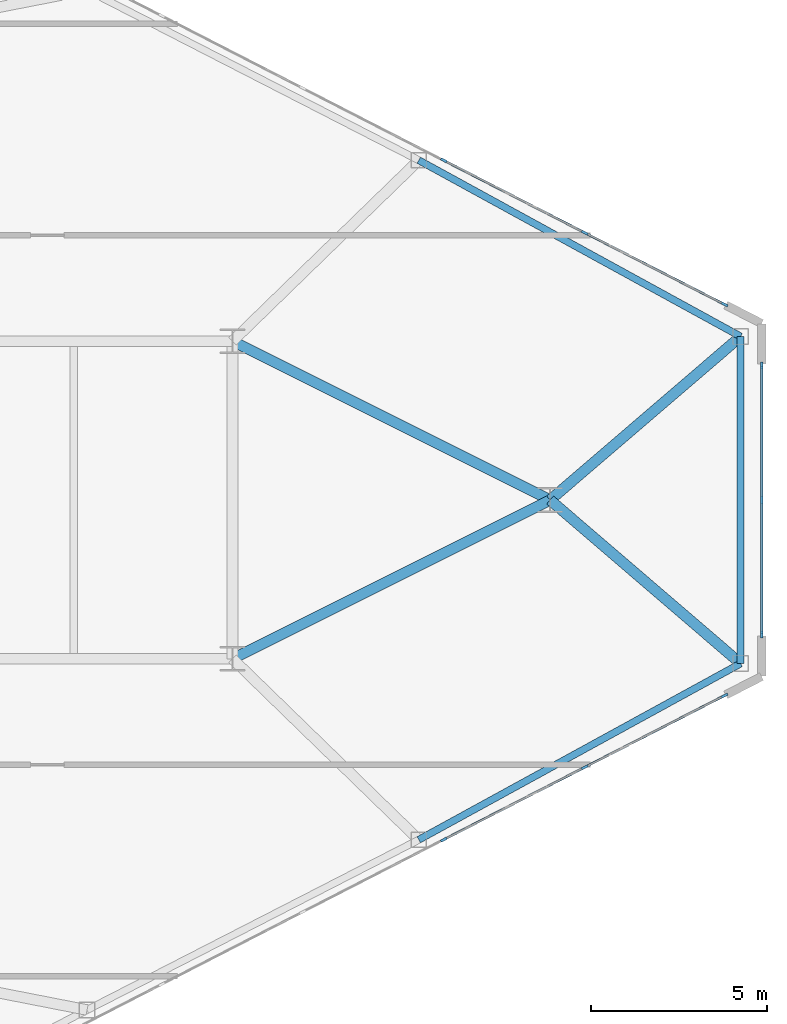
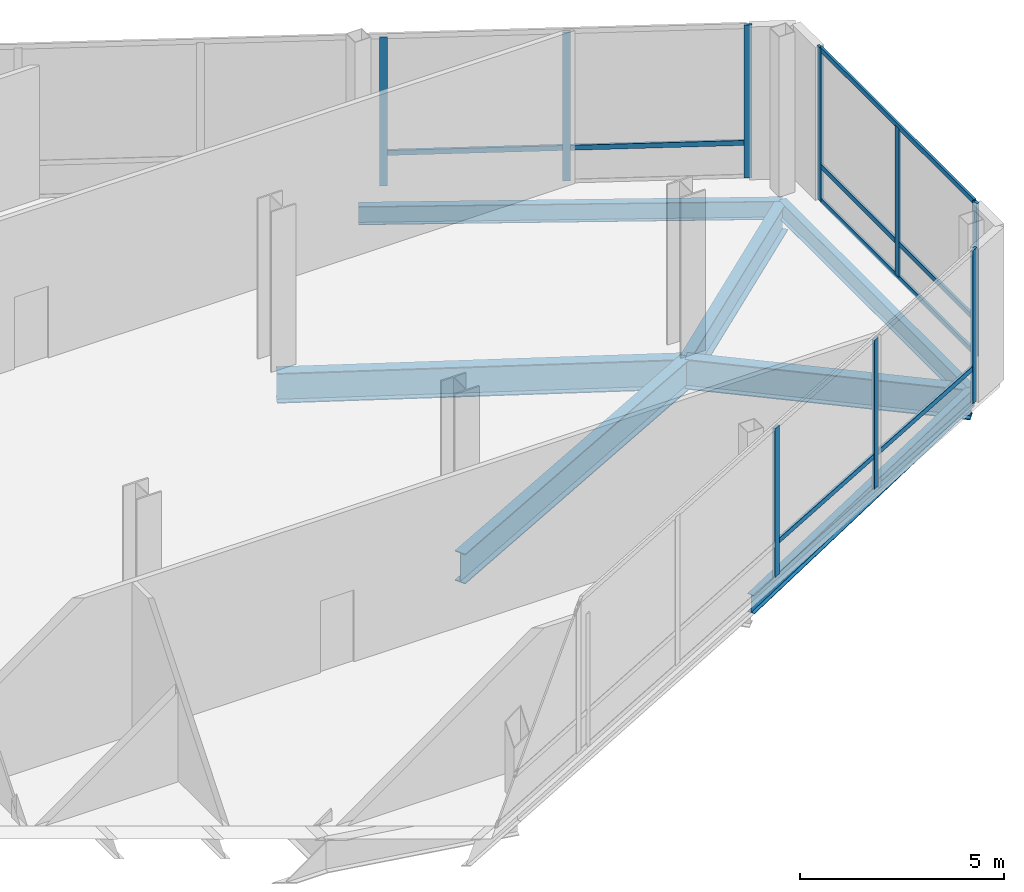
# One storey, part 13 of 22: 17 members, 7 beams, 3 elements without a shape of their own.
"""IFC4 building model written with IfcOpenShell, lengths in metres."""

from ifc_helpers import new_model, si_unit, direction, frame, origin, origin_2d, place, context, subcontext, project, spatial, rectangle, i_section, extrude, source, transform, mapped, material, layer, layer_set, material_profile, profile_set, type_object, type_shapes, element, aggregate, save


model = new_model("IFC4")

# Units and contexts
model_context = context("Model", 3, precision=1e-05, world=origin(), true_north=direction((0.0, 1.0)))
body_context = subcontext(model_context, "Body", "Model", "MODEL_VIEW")
ifc_project = project(units=[si_unit("LENGTHUNIT", "METRE"), si_unit("AREAUNIT", "SQUARE_METRE"), si_unit("VOLUMEUNIT", "CUBIC_METRE"), si_unit("PLANEANGLEUNIT", "RADIAN"), si_unit("MASSUNIT", "GRAM", prefix="KILO")], contexts=[model_context])

# Site, building, storey
site_placement = place(None, origin())
site = spatial("IfcSite", under=ifc_project, at=site_placement, CompositionType="ELEMENT")
building_placement = place(site_placement, origin())
building = spatial("IfcBuilding", under=site, at=building_placement, Name="Seokmaru Belvedere", CompositionType="ELEMENT")
storey_placement = place(building_placement, frame((0.0, 0.0, 135.60009765625)))
storey = spatial("IfcBuildingStorey", under=building, at=storey_placement, Name="L36", CompositionType="ELEMENT", Elevation=135.60009765625)

# Beams
ifc_material_1 = material(Name="Steel SM355 (355 MPa)", Category="steel")
ifc_material_profile_1 = material_profile(ifc_material_1, i_section(OverallWidth=0.300048828125, OverallDepth=0.89990234375, WebThickness=0.01611328125, FlangeThickness=0.028076171875, at=origin_2d()), Name="H-900x300x16x28")
ifc_profile_set_1 = profile_set([ifc_material_profile_1], Name="Steel SM355 (355 MPa)")
beam_type_1 = type_object("IfcBeamType", Name="Refuge Floor Girder H-900", PredefinedType="BEAM", material=ifc_profile_set_1)
shared_shape_1 = source(origin(), body_context, "Body", "SweptSolid", [
    extrude(i_section(OverallWidth=0.300048828125, OverallDepth=0.89990234375, WebThickness=0.01611328125, FlangeThickness=0.028076171875, at=origin_2d()), origin(), (0.0, 0.0, 1.0), 10.062255859375),
])
for number, where, z_axis, x_axis, name in (
    (1, (54.5, -4.5, -0.710205078125), (0.894427191, 0.4472135955, 0.0), (-0.4472135955, 0.894427191, 0.0), "L36 E Apex Converging Girder 1"),
    (2, (54.5, 4.5, -0.710205078125), (0.894427191, -0.4472135955, 0.0), (0.4472135955, 0.894427191, 0.0), "L36 E Apex Converging Girder 2"),
):
    element("IfcBeam", number, at=place(storey_placement, frame(where, z_axis=z_axis, x_axis=x_axis)), inside=storey, type_object=beam_type_1, Name=name, PredefinedType="BEAM", context=body_context, shape_type="MappedRepresentation", body=[
        mapped(shared_shape_1, transform((0.0, 0.0, 0.0), scale=1.0)),
    ])
ifc_material_profile_2 = material_profile(ifc_material_1, i_section(OverallWidth=0.199951171875, OverallDepth=0.550048828125, WebThickness=0.010009765625, FlangeThickness=0.01611328125, at=origin_2d()), Name="H-550x200x10x16")
ifc_profile_set_2 = profile_set([ifc_material_profile_2], Name="Steel SM355 (355 MPa)")
beam_type_2 = type_object("IfcBeamType", Name="Sky-Lobby Spandrel Beam H-550", PredefinedType="SPANDREL", material=ifc_profile_set_2)
shared_shape_2 = source(origin(), body_context, "Body", "SweptSolid", [
    extrude(i_section(OverallWidth=0.199951171875, OverallDepth=0.550048828125, WebThickness=0.010009765625, FlangeThickness=0.01611328125, at=origin_2d()), origin(), (0.0, 0.0, 1.0), 10.399658203125),
])
for number, where, z_axis, x_axis, name in (
    (3, (59.778564453125, -9.62890625, -0.53515625), (0.877082374422, 0.480339992587, 0.0), (-0.480339992587, 0.877082374422, 0.0), "L36 E Faceted Flank Spandrel S-4"),
    (4, (59.778564453125, 9.62890625, -0.53515625), (0.877082374422, -0.480339992587, 0.0), (0.480339992587, 0.877082374422, 0.0), "L36 E Faceted Flank Spandrel N-4"),
):
    element("IfcBeam", number, at=place(storey_placement, frame(where, z_axis=z_axis, x_axis=x_axis)), inside=storey, type_object=beam_type_2, Name=name, PredefinedType="SPANDREL", context=body_context, shape_type="MappedRepresentation", body=[
        mapped(shared_shape_2, transform((0.0, 0.0, 0.0), scale=1.0)),
    ])
shared_shape_3 = source(origin(), body_context, "Body", "SweptSolid", [
    extrude(i_section(OverallWidth=0.199951171875, OverallDepth=0.550048828125, WebThickness=0.010009765625, FlangeThickness=0.01611328125, at=origin_2d()), origin(), (0.0, 0.0, 1.0), 9.26708984375),
])
type_shapes(beam_type_2, [shared_shape_2, shared_shape_3])
beam_placement = place(storey_placement, frame((68.89990234375, -4.633544921875, -0.53515625), z_axis=(0.0, 1.0, 0.0), x_axis=(-1.0, 0.0, 0.0)))
element("IfcBeam", 5, at=beam_placement, inside=storey, type_object=beam_type_2, Name="L36 E Faceted Apex Spandrel", PredefinedType="SPANDREL", context=body_context, shape_type="MappedRepresentation", body=[
    mapped(shared_shape_3, transform((0.0, 0.0, 0.0), scale=1.0)),
])
shared_shape_4 = source(origin(), body_context, "Body", "SweptSolid", [
    extrude(i_section(OverallWidth=0.300048828125, OverallDepth=0.89990234375, WebThickness=0.01611328125, FlangeThickness=0.028076171875, at=origin_2d()), origin(), (0.0, 0.0, 1.0), 7.115478515625),
])
type_shapes(beam_type_1, [shared_shape_1, shared_shape_4])
for number, where, z_axis, x_axis, name in (
    (6, (68.89990234375, -4.633544921875, -0.710205078125), (-0.758905301881, 0.651201000289, 0.0), (-0.651201000289, -0.758905301881, 0.0), "L36 E Apex Radial Floor Girder 1"),
    (7, (68.89990234375, 4.633544921875, -0.710205078125), (-0.758905301881, -0.651201000289, 0.0), (0.651201000289, -0.758905301881, 0.0), "L36 E Apex Radial Floor Girder 2"),
):
    element("IfcBeam", number, at=place(storey_placement, frame(where, z_axis=z_axis, x_axis=x_axis)), inside=storey, type_object=beam_type_1, Name=name, PredefinedType="BEAM", context=body_context, shape_type="MappedRepresentation", body=[
        mapped(shared_shape_4, transform((0.0, 0.0, 0.0), scale=1.0)),
    ])

# Curtain wall, members
ifc_material_2 = material(Name="Bronze Triple Insulating Glass", Category="glass")
ifc_layer = layer(ifc_material_2, 0.195068359375)
ifc_layer_set = layer_set([ifc_layer], Name="Bronze Triple Insulating Glass")
curtain_wall_type = type_object("IfcCurtainWallType", Name="Sky-Lobby and Mid-Rise Curtain Wall System CW-4", PredefinedType="NOTDEFINED", material=ifc_layer_set)
curtain_wall_1_placement = place(storey_placement, origin())
curtain_wall_1 = element("IfcCurtainWall", 8, at=curtain_wall_1_placement, inside=storey, type_object=curtain_wall_type, Name="L36 Curtain Wall EF2", PredefinedType="NOTDEFINED")
ifc_material_3 = material(Name="Anodised Bronze Aluminium", Category="aluminium")
ifc_material_profile_3 = material_profile(ifc_material_3, rectangle(XDim=0.06494140625, YDim=0.14990234375, at=origin_2d()), Name="CW-T-65x150")
ifc_profile_set_3 = profile_set([ifc_material_profile_3], Name="Anodised Bronze Aluminium")
member_type_1 = type_object("IfcMemberType", Name="Bronze Unitised Transom 65x150", PredefinedType="USERDEFINED", material=ifc_profile_set_3)
shared_shape_5 = source(origin(), body_context, "Body", "SweptSolid", [
    extrude(rectangle(XDim=0.06494140625, YDim=0.14990234375, at=origin_2d()), origin(), (0.0, 0.0, 1.0), 7.56005859375),
])
member_1_placement = place(storey_placement, frame((69.5, -3.780029296875, 0.032470703125), z_axis=(0.0, 1.0, 0.0), x_axis=(-1.0, 0.0, 0.0)))
member_1 = element("IfcMember", 9, at=member_1_placement, type_object=member_type_1, Name="CW:L36:EF2 Continuous Transom 1", ObjectType="TRANSOM", PredefinedType="USERDEFINED", context=body_context, shape_type="MappedRepresentation", body=[
    mapped(shared_shape_5, transform((0.0, 0.0, 0.0), scale=1.0)),
])
member_2_placement = place(storey_placement, frame((69.5, -3.780029296875, 4.54736328125), z_axis=(0.0, 1.0, 0.0), x_axis=(-1.0, 0.0, 0.0)))
member_2 = element("IfcMember", 10, at=member_2_placement, type_object=member_type_1, Name="CW:L36:EF2 Continuous Transom 2", ObjectType="TRANSOM", PredefinedType="USERDEFINED", context=body_context, shape_type="MappedRepresentation", body=[
    mapped(shared_shape_5, transform((0.0, 0.0, 0.0), scale=1.0)),
])

# Curtain wall, member
curtain_wall_2_placement = place(storey_placement, origin())
curtain_wall_2 = element("IfcCurtainWall", 11, at=curtain_wall_2_placement, inside=storey, type_object=curtain_wall_type, Name="L36 Curtain Wall EF1", PredefinedType="NOTDEFINED")
ifc_material_profile_4 = material_profile(ifc_material_3, rectangle(XDim=0.070068359375, YDim=0.195068359375, at=origin_2d()), Name="CW-M-70x195")
ifc_profile_set_4 = profile_set([ifc_material_profile_4], Name="Anodised Bronze Aluminium")
member_type_2 = type_object("IfcMemberType", Name="Bronze Unitised Mullion 70x195", PredefinedType="MULLION", material=ifc_profile_set_4)
shared_shape_6 = source(origin(), body_context, "Body", "SweptSolid", [
    extrude(rectangle(XDim=0.070068359375, YDim=0.195068359375, at=origin_2d()), origin(), (0.0, 0.0, 1.0), 4.579833984375),
])
member_3_placement = place(storey_placement, frame((68.44580078125, -5.541015625, 0.0), z_axis=(0.0, 0.0, 1.0), x_axis=(-0.456554528263, 0.889695432562, 0.0)))
member_3 = element("IfcMember", 12, at=member_3_placement, type_object=member_type_2, Name="CW:L36:EF1 Mullion 10", PredefinedType="MULLION", context=body_context, shape_type="MappedRepresentation", body=[
    mapped(shared_shape_6, transform((0.0, 0.0, 0.0), scale=1.0)),
])

# Member
member_4_placement = place(storey_placement, frame((69.5, -3.81494140625, 0.0), z_axis=(0.0, 0.0, 1.0), x_axis=(-1.0, 0.0, 0.0)))
member_4 = element("IfcMember", 13, at=member_4_placement, type_object=member_type_2, Name="CW:L36:EF2 Mullion 1", PredefinedType="MULLION", context=body_context, shape_type="MappedRepresentation", body=[
    mapped(shared_shape_6, transform((0.0, 0.0, 0.0), scale=1.0)),
])

member_5_placement = place(storey_placement, frame((69.5, 3.81494140625, 0.0), z_axis=(0.0, 0.0, 1.0), x_axis=(-1.0, 0.0, 0.0)))
member_5 = element("IfcMember", 14, at=member_5_placement, type_object=member_type_2, Name="CW:L36:EF2 Mullion 3", PredefinedType="MULLION", context=body_context, shape_type="MappedRepresentation", body=[
    mapped(shared_shape_6, transform((0.0, 0.0, 0.0), scale=1.0)),
])

# Curtain wall, member
curtain_wall_3_placement = place(storey_placement, origin())
curtain_wall_3 = element("IfcCurtainWall", 15, at=curtain_wall_3_placement, inside=storey, type_object=curtain_wall_type, Name="L36 Curtain Wall EF3", PredefinedType="NOTDEFINED")
member_6_placement = place(storey_placement, frame((68.44580078125, 5.541015625, 0.0), z_axis=(0.0, 0.0, 1.0), x_axis=(-0.456554528263, -0.889695432562, 0.0)))
member_6 = element("IfcMember", 16, at=member_6_placement, type_object=member_type_2, Name="CW:L36:EF3 Mullion 1", PredefinedType="MULLION", context=body_context, shape_type="MappedRepresentation", body=[
    mapped(shared_shape_6, transform((0.0, 0.0, 0.0), scale=1.0)),
])

# Member
shared_shape_7 = source(origin(), body_context, "Body", "SweptSolid", [
    extrude(rectangle(XDim=0.070068359375, YDim=0.195068359375, at=origin_2d()), origin(), (0.0, 0.0, 1.0), 4.449951171875),
])
type_shapes(member_type_2, [shared_shape_6, shared_shape_7])
member_7_placement = place(storey_placement, frame((60.4873046875, -9.625, 0.06494140625), z_axis=(0.0, 0.0, 1.0), x_axis=(-0.456554528263, 0.889695432562, 0.0)))
member_7 = element("IfcMember", 17, at=member_7_placement, type_object=member_type_2, Name="CW:L36:EF1 Mullion 8", PredefinedType="MULLION", context=body_context, shape_type="MappedRepresentation", body=[
    mapped(shared_shape_7, transform((0.0, 0.0, 0.0), scale=1.0)),
])

member_8_placement = place(storey_placement, frame((64.48193359375, -7.574951171875, 0.06494140625), z_axis=(0.0, 0.0, 1.0), x_axis=(-0.456554528263, 0.889695432562, 0.0)))
member_8 = element("IfcMember", 18, at=member_8_placement, type_object=member_type_2, Name="CW:L36:EF1 Mullion 9", PredefinedType="MULLION", context=body_context, shape_type="MappedRepresentation", body=[
    mapped(shared_shape_7, transform((0.0, 0.0, 0.0), scale=1.0)),
])

member_9_placement = place(storey_placement, frame((69.5, 0.0, 0.06494140625), z_axis=(0.0, 0.0, 1.0), x_axis=(-1.0, 0.0, 0.0)))
member_9 = element("IfcMember", 19, at=member_9_placement, type_object=member_type_2, Name="CW:L36:EF2 Mullion 2", PredefinedType="MULLION", context=body_context, shape_type="MappedRepresentation", body=[
    mapped(shared_shape_7, transform((0.0, 0.0, 0.0), scale=1.0)),
])

member_10_placement = place(storey_placement, frame((64.48193359375, 7.574951171875, 0.06494140625), z_axis=(0.0, 0.0, 1.0), x_axis=(-0.456554528263, -0.889695432562, 0.0)))
member_10 = element("IfcMember", 20, at=member_10_placement, type_object=member_type_2, Name="CW:L36:EF3 Mullion 2", PredefinedType="MULLION", context=body_context, shape_type="MappedRepresentation", body=[
    mapped(shared_shape_7, transform((0.0, 0.0, 0.0), scale=1.0)),
])

member_11_placement = place(storey_placement, frame((60.4873046875, 9.625, 0.06494140625), z_axis=(0.0, 0.0, 1.0), x_axis=(-0.456554528263, -0.889695432562, 0.0)))
member_11 = element("IfcMember", 21, at=member_11_placement, type_object=member_type_2, Name="CW:L36:EF3 Mullion 3", PredefinedType="MULLION", context=body_context, shape_type="MappedRepresentation", body=[
    mapped(shared_shape_7, transform((0.0, 0.0, 0.0), scale=1.0)),
])

shared_shape_8 = source(origin(), body_context, "Body", "SweptSolid", [
    extrude(rectangle(XDim=0.06494140625, YDim=0.14990234375, at=origin_2d()), origin(), (0.0, 0.0, 1.0), 4.38525390625),
])
member_12_placement = place(storey_placement, frame((64.51318359375, -7.55908203125, 1.0498046875), z_axis=(0.889678887593, 0.456586768282, 0.0), x_axis=(-0.456586768282, 0.889678887593, 0.0)))
member_12 = element("IfcMember", 22, at=member_12_placement, type_object=member_type_1, Name="CW:L36:EF1 Spandrel Transom 9", ObjectType="TRANSOM", PredefinedType="USERDEFINED", context=body_context, shape_type="MappedRepresentation", body=[
    mapped(shared_shape_8, transform((0.0, 0.0, 0.0), scale=1.0)),
])

member_13_placement = place(storey_placement, frame((68.41455078125, 5.556884765625, 1.0498046875), z_axis=(-0.889678887593, 0.456586768282, 0.0), x_axis=(-0.456586768282, -0.889678887593, 0.0)))
member_13 = element("IfcMember", 23, at=member_13_placement, type_object=member_type_1, Name="CW:L36:EF3 Spandrel Transom 1", ObjectType="TRANSOM", PredefinedType="USERDEFINED", context=body_context, shape_type="MappedRepresentation", body=[
    mapped(shared_shape_8, transform((0.0, 0.0, 0.0), scale=1.0)),
])

shared_shape_9 = source(origin(), body_context, "Body", "SweptSolid", [
    extrude(rectangle(XDim=0.06494140625, YDim=0.14990234375, at=origin_2d()), origin(), (0.0, 0.0, 1.0), 4.420166015625),
])
member_14_placement = place(storey_placement, frame((60.518310546875, -9.60888671875, 1.0498046875), z_axis=(0.889716805756, 0.456512875563, 0.0), x_axis=(-0.456512875563, 0.889716805756, 0.0)))
member_14 = element("IfcMember", 24, at=member_14_placement, type_object=member_type_1, Name="CW:L36:EF1 Spandrel Transom 8", ObjectType="TRANSOM", PredefinedType="USERDEFINED", context=body_context, shape_type="MappedRepresentation", body=[
    mapped(shared_shape_9, transform((0.0, 0.0, 0.0), scale=1.0)),
])

aggregate(curtain_wall_2, [member_7, member_8, member_3, member_14, member_12])

member_15_placement = place(storey_placement, frame((64.450927734375, 7.591064453125, 1.0498046875), z_axis=(-0.889716805756, 0.456512875563, 0.0), x_axis=(-0.456512875563, -0.889716805756, 0.0)))
member_15 = element("IfcMember", 25, at=member_15_placement, type_object=member_type_1, Name="CW:L36:EF3 Spandrel Transom 2", ObjectType="TRANSOM", PredefinedType="USERDEFINED", context=body_context, shape_type="MappedRepresentation", body=[
    mapped(shared_shape_9, transform((0.0, 0.0, 0.0), scale=1.0)),
])

aggregate(curtain_wall_3, [member_6, member_10, member_11, member_13, member_15])

shared_shape_10 = source(origin(), body_context, "Body", "SweptSolid", [
    extrude(rectangle(XDim=0.06494140625, YDim=0.14990234375, at=origin_2d()), origin(), (0.0, 0.0, 1.0), 3.7451171875),
])
type_shapes(member_type_1, [shared_shape_5, shared_shape_8, shared_shape_9, shared_shape_10])
member_16_placement = place(storey_placement, frame((69.5, -3.780029296875, 1.0498046875), z_axis=(0.0, 1.0, 0.0), x_axis=(-1.0, 0.0, 0.0)))
member_16 = element("IfcMember", 26, at=member_16_placement, type_object=member_type_1, Name="CW:L36:EF2 Spandrel Transom 1", ObjectType="TRANSOM", PredefinedType="USERDEFINED", context=body_context, shape_type="MappedRepresentation", body=[
    mapped(shared_shape_10, transform((0.0, 0.0, 0.0), scale=1.0)),
])

member_17_placement = place(storey_placement, frame((69.5, 0.034912109375, 1.0498046875), z_axis=(0.0, 1.0, 0.0), x_axis=(-1.0, 0.0, 0.0)))
member_17 = element("IfcMember", 27, at=member_17_placement, type_object=member_type_1, Name="CW:L36:EF2 Spandrel Transom 2", ObjectType="TRANSOM", PredefinedType="USERDEFINED", context=body_context, shape_type="MappedRepresentation", body=[
    mapped(shared_shape_10, transform((0.0, 0.0, 0.0), scale=1.0)),
])

aggregate(curtain_wall_1, [member_4, member_9, member_5, member_1, member_2, member_16, member_17])

save(model, "model.ifc")
